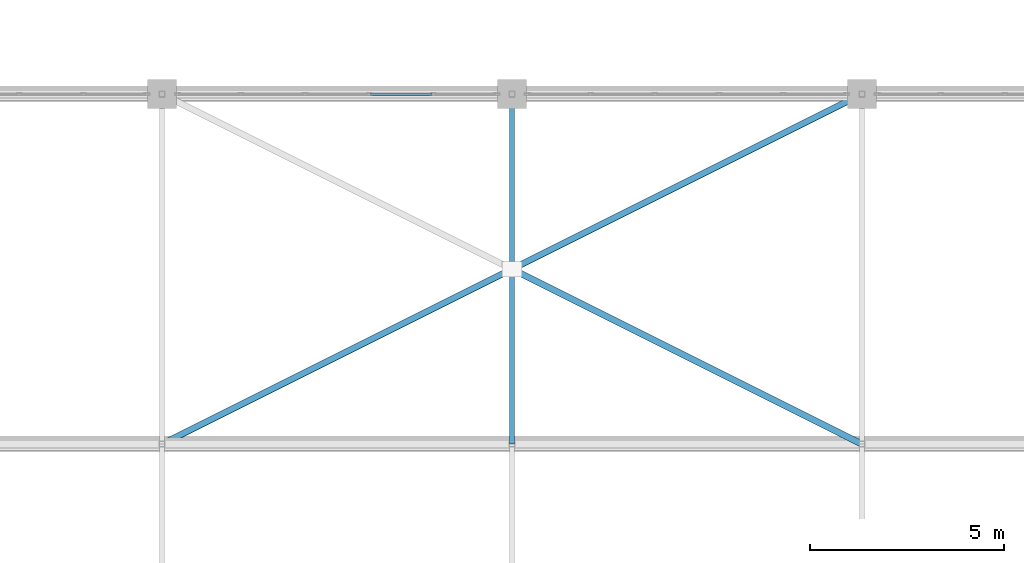
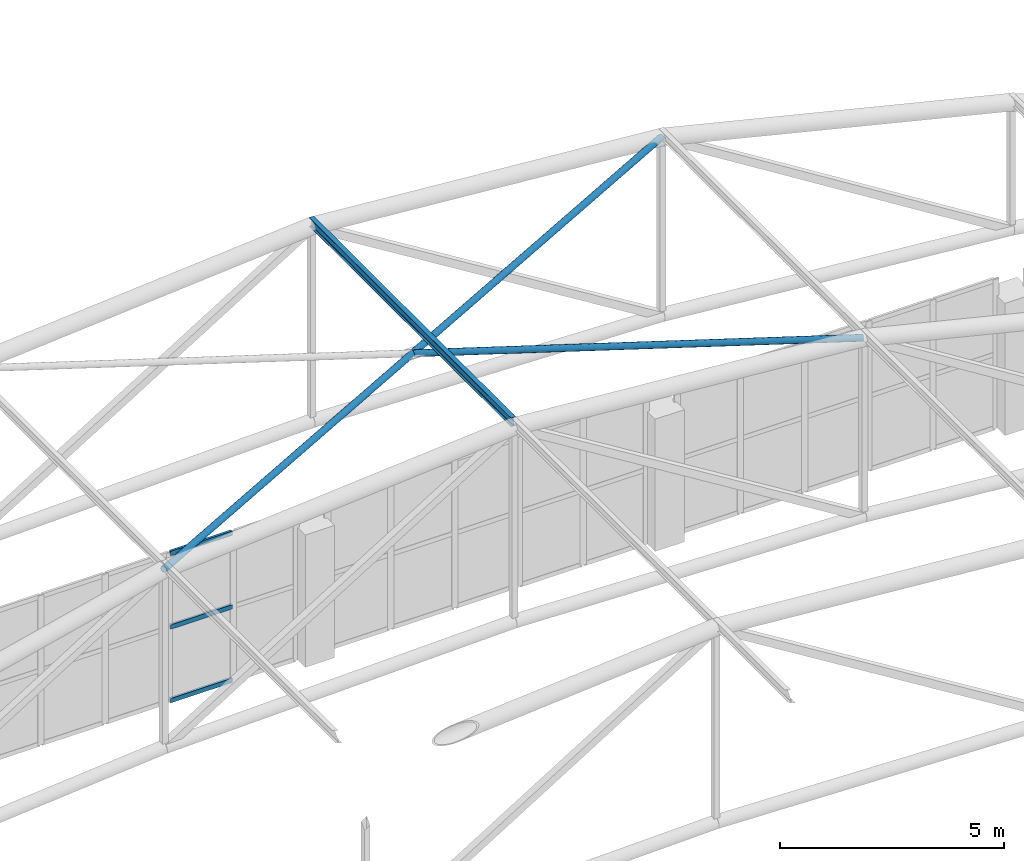
# One storey, part 109 of 167: 6 members, 1 element without a shape of its own.
"""IFC4 building model written with IfcOpenShell, lengths in metres."""

from ifc_helpers import new_model, si_unit, direction, frame, origin, origin_2d, place, context, subcontext, project, spatial, hollow_rectangle, hollow_circle, i_section, extrude, material, layer, layer_set, material_profile, profile_set, type_object, element, aggregate, save


model = new_model("IFC4")

# Units and contexts
model_context = context("Model", 3, precision=1e-05, world=origin(), true_north=direction((0.0, 1.0)))
body_context = subcontext(model_context, "Body", "Model", "MODEL_VIEW")
ifc_project = project(units=[si_unit("LENGTHUNIT", "METRE"), si_unit("AREAUNIT", "SQUARE_METRE"), si_unit("VOLUMEUNIT", "CUBIC_METRE"), si_unit("PLANEANGLEUNIT", "RADIAN"), si_unit("MASSUNIT", "GRAM", prefix="KILO")], contexts=[model_context])

# Site, building, storey
site_placement = place(None, origin())
site = spatial("IfcSite", under=ifc_project, at=site_placement, CompositionType="ELEMENT")
building_placement = place(site_placement, origin())
building = spatial("IfcBuilding", under=site, at=building_placement, Name="Dornveld Trade and Exhibition Forum", CompositionType="ELEMENT")
storey_placement = place(building_placement, frame((0.0, 0.0, 16.800048828125)))
storey = spatial("IfcBuildingStorey", under=building, at=storey_placement, Name="L03", CompositionType="ELEMENT", Elevation=16.800048828125)

# Curtain wall, members
ifc_material_1 = material(Name="Dark-bronze anodised aluminium and low-E glass", Category="aluminium")
ifc_layer = layer(ifc_material_1, 0.196044921875)
ifc_layer_set = layer_set([ifc_layer], Name="Dark-bronze anodised aluminium and low-E glass")
curtain_wall_type = type_object("IfcCurtainWallType", Name="CW-SYS-18", PredefinedType="USERDEFINED", material=ifc_layer_set)
curtain_wall_placement = place(storey_placement, origin())
curtain_wall = element("IfcCurtainWall", 1, at=curtain_wall_placement, inside=storey, type_object=curtain_wall_type, Name="L03 unitised curtain wall 36", ObjectType="UNITISED_CURTAIN_WALL", PredefinedType="USERDEFINED")
ifc_material_2 = material(Name="Dark-bronze anodised aluminium", Category="aluminium")
ifc_material_profile_1 = material_profile(ifc_material_2, hollow_rectangle(XDim=0.06005859375, YDim=0.1201171875, WallThickness=0.00390625, at=origin_2d()), Name="RHS 120x60x4")
ifc_profile_set_1 = profile_set([ifc_material_profile_1], Name="Dark-bronze anodised aluminium")
member_type_1 = type_object("IfcMemberType", Name="CW-TRN-120", PredefinedType="USERDEFINED", material=ifc_profile_set_1)
member_1_placement = place(storey_placement, frame((51.947509765625, 135.0, 0.02587890625), z_axis=(-1.0, 0.0, 0.0), x_axis=(0.0, -1.0, 0.0)))
member_1 = element("IfcMember", 2, at=member_1_placement, type_object=member_type_1, Name="CW-18 transom 2.1", ObjectType="TRANSOM", PredefinedType="USERDEFINED", context=body_context, shape_type="SweptSolid", body=[
    extrude(hollow_rectangle(XDim=0.06005859375, YDim=0.1201171875, WallThickness=0.00390625, at=origin_2d()), origin(), (0.0, 0.0, 1.0), 1.591796875),
])
member_2_placement = place(storey_placement, frame((51.947509765625, 135.0, 2.02783203125), z_axis=(-1.0, 0.0, 0.0), x_axis=(0.0, -1.0, 0.0)))
member_2 = element("IfcMember", 3, at=member_2_placement, type_object=member_type_1, Name="CW-18 transom 2.2", ObjectType="TRANSOM", PredefinedType="USERDEFINED", context=body_context, shape_type="SweptSolid", body=[
    extrude(hollow_rectangle(XDim=0.06005859375, YDim=0.1201171875, WallThickness=0.00390625, at=origin_2d()), origin(), (0.0, 0.0, 1.0), 1.591796875),
])
member_3_placement = place(storey_placement, frame((51.947509765625, 135.0, 4.030029296875), z_axis=(-1.0, 0.0, 0.0), x_axis=(0.0, -1.0, 0.0)))
member_3 = element("IfcMember", 4, at=member_3_placement, type_object=member_type_1, Name="CW-18 transom 2.3", ObjectType="TRANSOM", PredefinedType="USERDEFINED", context=body_context, shape_type="SweptSolid", body=[
    extrude(hollow_rectangle(XDim=0.06005859375, YDim=0.1201171875, WallThickness=0.00390625, at=origin_2d()), origin(), (0.0, 0.0, 1.0), 1.591796875),
])
aggregate(curtain_wall, [member_1, member_2, member_3])

# Members
ifc_material_3 = material(Name="Steel S355J2", Category="steel")
ifc_material_profile_2 = material_profile(ifc_material_3, hollow_circle(Radius=0.084228515625, WallThickness=0.008056640625, at=origin_2d()), Name="CHS 168.3x8")
ifc_profile_set_2 = profile_set([ifc_material_profile_2], Name="Steel S355J2")
member_type_2 = type_object("IfcMemberType", Name="MEM-BRACE-168", PredefinedType="BRACE", material=ifc_profile_set_2)
member_4_placement = place(storey_placement, frame((45.0, 126.0, 10.916748046875), z_axis=(0.894427191, 0.4472135955, 0.0), x_axis=(-0.4472135955, 0.894427191, 0.0)))
element("IfcMember", 5, at=member_4_placement, inside=storey, type_object=member_type_2, Name="H3 roof wind brace 11A", PredefinedType="BRACE", context=body_context, shape_type="SweptSolid", body=[
    extrude(hollow_circle(Radius=0.084228515625, WallThickness=0.008056640625, at=origin_2d()), origin(), (0.0, 0.0, 1.0), 20.12451171875),
])
member_5_placement = place(storey_placement, frame((63.0, 126.0, 10.916748046875), z_axis=(-0.894427191, 0.4472135955, 0.0), x_axis=(-0.4472135955, -0.894427191, 0.0)))
element("IfcMember", 6, at=member_5_placement, inside=storey, type_object=member_type_2, Name="H3 roof wind brace 11B1", PredefinedType="BRACE", context=body_context, shape_type="SweptSolid", body=[
    extrude(hollow_circle(Radius=0.084228515625, WallThickness=0.008056640625, at=origin_2d()), origin(), (0.0, 0.0, 1.0), 10.062255859375),
])
ifc_material_4 = material(Name="Steel S355J2", Category="steel")
ifc_material_profile_3 = material_profile(ifc_material_4, i_section(OverallWidth=0.1201171875, OverallDepth=0.239990234375, WebThickness=0.006103515625, FlangeThickness=0.009765625, FilletRadius=0.014892578125, at=origin_2d()), Name="IPE 240")
ifc_profile_set_3 = profile_set([ifc_material_profile_3], Name="Steel S355J2")
member_type_3 = type_object("IfcMemberType", Name="MEM-PURLIN-240", PredefinedType="PURLIN", material=ifc_profile_set_3)
member_6_placement = place(storey_placement, frame((54.0, 126.0, 11.781982421875), z_axis=(0.0, 1.0, 0.0), x_axis=(-1.0, 0.0, 0.0)))
element("IfcMember", 7, at=member_6_placement, inside=storey, type_object=member_type_3, Name="H3 bay 11 roof purlin 4", PredefinedType="PURLIN", context=body_context, shape_type="SweptSolid", body=[
    extrude(i_section(OverallWidth=0.1201171875, OverallDepth=0.239990234375, WebThickness=0.006103515625, FlangeThickness=0.009765625, FilletRadius=0.014892578125, at=origin_2d()), origin(), (0.0, 0.0, 1.0), 9.0),
])

save(model, "model.ifc")
